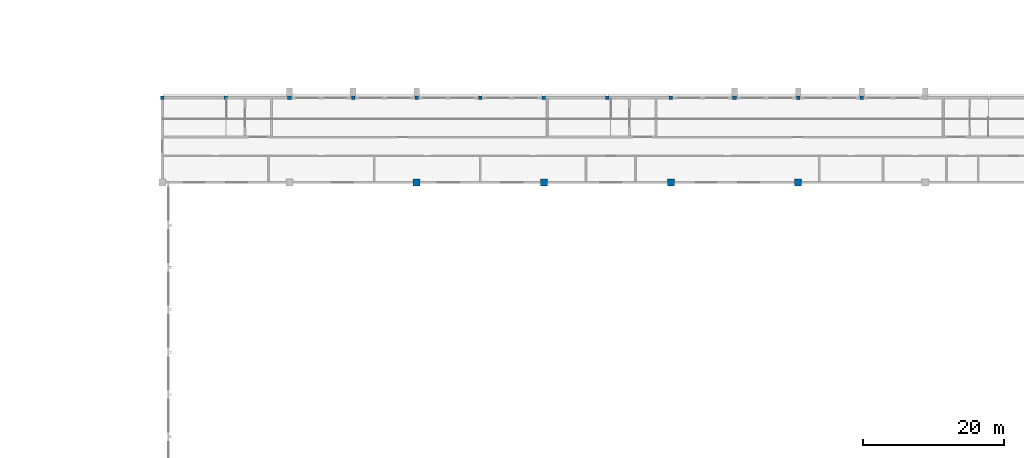
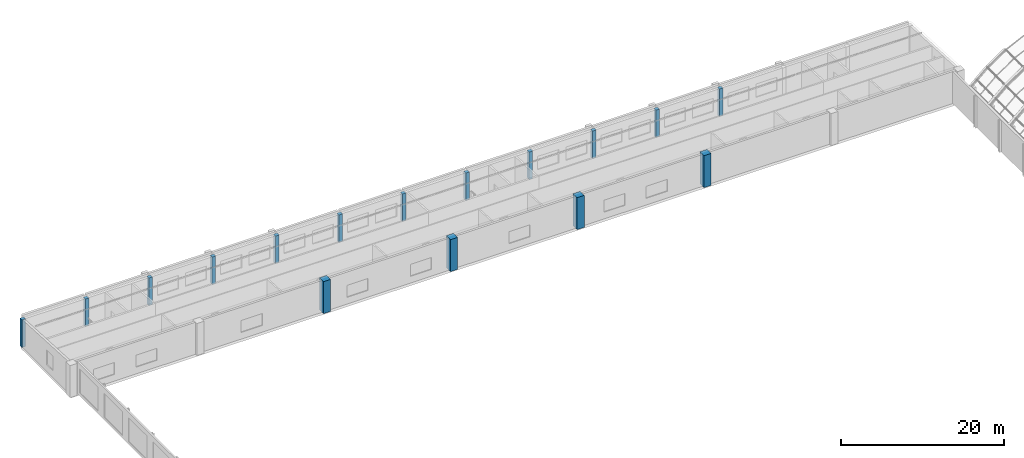
# One storey, part 21 of 182: 16 columns.
"""IFC4 building model written with IfcOpenShell, lengths in metres."""

from ifc_helpers import new_model, si_unit, direction, frame, origin, origin_2d, place, context, subcontext, project, spatial, rectangle, extrude, material, material_profile, profile_set, type_object, element, save


model = new_model("IFC4")

# Units and contexts
model_context = context("Model", 3, precision=1e-05, world=origin(), true_north=direction((0.0, 1.0)))
body_context = subcontext(model_context, "Body", "Model", "MODEL_VIEW")
ifc_project = project(units=[si_unit("LENGTHUNIT", "METRE"), si_unit("AREAUNIT", "SQUARE_METRE"), si_unit("VOLUMEUNIT", "CUBIC_METRE"), si_unit("PLANEANGLEUNIT", "RADIAN"), si_unit("MASSUNIT", "GRAM", prefix="KILO")], contexts=[model_context])

# Site, building, storey
site_placement = place(None, origin())
site = spatial("IfcSite", under=ifc_project, at=site_placement, CompositionType="ELEMENT")
building_placement = place(site_placement, origin())
building = spatial("IfcBuilding", under=site, at=building_placement, Name="Okhra Congress Centre", CompositionType="ELEMENT")
storey_placement = place(building_placement, frame((0.0, 0.0, 7.199951171875)))
storey = spatial("IfcBuildingStorey", under=building, at=storey_placement, Name="L01", CompositionType="ELEMENT", Elevation=7.199951171875)

# Columns
ifc_material_1 = material(Name="Concrete C40/50", Category="concrete")
ifc_material_profile_1 = material_profile(ifc_material_1, rectangle(XDim=1.0, YDim=1.0, at=origin_2d()), Name="RC 1000x1000")
ifc_profile_set_1 = profile_set([ifc_material_profile_1], Name="Concrete C40/50")
column_type_1 = type_object("IfcColumnType", Name="RC column 1000x1000 C40/50", PredefinedType="COLUMN", material=ifc_profile_set_1)
for number, where, z_axis, x_axis, name in (
    (1, (64.0, 216.0, 0.0), (0.0, 0.0, 1.0), (1.0, 0.0, 0.0), "EH.COL.L01.SC6"),
    (2, (82.0, 216.0, 0.0), (0.0, 0.0, 1.0), (1.0, 0.0, 0.0), "EH.COL.L01.SC8"),
    (3, (100.0, 216.0, 0.0), (0.0, 0.0, 1.0), (1.0, 0.0, 0.0), "EH.COL.L01.SC10"),
    (4, (118.0, 216.0, 0.0), (0.0, 0.0, 1.0), (1.0, 0.0, 0.0), "EH.COL.L01.SC12"),
):
    element("IfcColumn", number, at=place(storey_placement, frame(where, z_axis=z_axis, x_axis=x_axis)), inside=storey, type_object=column_type_1, Name=name, PredefinedType="COLUMN", context=body_context, shape_type="SweptSolid", body=[
        extrude(rectangle(XDim=1.0, YDim=1.0, at=origin_2d()), origin(), (0.0, 0.0, 1.0), 4.800048828125),
    ])
ifc_material_2 = material(Name="Concrete C35/45", Category="concrete")
ifc_material_profile_2 = material_profile(ifc_material_2, rectangle(XDim=0.5, YDim=0.5, at=origin_2d()), Name="RC 500x500")
ifc_profile_set_2 = profile_set([ifc_material_profile_2], Name="Concrete C35/45")
column_type_2 = type_object("IfcColumnType", Name="RC column 500x500 C35/45", PredefinedType="COLUMN", material=ifc_profile_set_2)
for number, where, z_axis, x_axis, name in (
    (5, (28.0, 228.0, 0.0), (0.0, 0.0, 1.0), (1.0, 0.0, 0.0), "EH.COL.L01.KC1"),
    (6, (37.0, 228.0, 0.0), (0.0, 0.0, 1.0), (1.0, 0.0, 0.0), "EH.COL.L01.KC2"),
    (7, (46.0, 228.0, 0.0), (0.0, 0.0, 1.0), (1.0, 0.0, 0.0), "EH.COL.L01.KC3"),
    (8, (55.0, 228.0, 0.0), (0.0, 0.0, 1.0), (1.0, 0.0, 0.0), "EH.COL.L01.KC4"),
    (9, (64.0, 228.0, 0.0), (0.0, 0.0, 1.0), (1.0, 0.0, 0.0), "EH.COL.L01.KC5"),
    (10, (73.0, 228.0, 0.0), (0.0, 0.0, 1.0), (1.0, 0.0, 0.0), "EH.COL.L01.KC6"),
    (11, (82.0, 228.0, 0.0), (0.0, 0.0, 1.0), (1.0, 0.0, 0.0), "EH.COL.L01.KC7"),
    (12, (91.0, 228.0, 0.0), (0.0, 0.0, 1.0), (1.0, 0.0, 0.0), "EH.COL.L01.KC8"),
    (13, (100.0, 228.0, 0.0), (0.0, 0.0, 1.0), (1.0, 0.0, 0.0), "EH.COL.L01.KC9"),
    (14, (109.0, 228.0, 0.0), (0.0, 0.0, 1.0), (1.0, 0.0, 0.0), "EH.COL.L01.KC10"),
    (15, (118.0, 228.0, 0.0), (0.0, 0.0, 1.0), (1.0, 0.0, 0.0), "EH.COL.L01.KC11"),
    (16, (127.0, 228.0, 0.0), (0.0, 0.0, 1.0), (1.0, 0.0, 0.0), "EH.COL.L01.KC12"),
):
    element("IfcColumn", number, at=place(storey_placement, frame(where, z_axis=z_axis, x_axis=x_axis)), inside=storey, type_object=column_type_2, Name=name, PredefinedType="COLUMN", context=body_context, shape_type="SweptSolid", body=[
        extrude(rectangle(XDim=0.5, YDim=0.5, at=origin_2d()), origin(), (0.0, 0.0, 1.0), 4.12109375),
    ])

save(model, "model.ifc")
